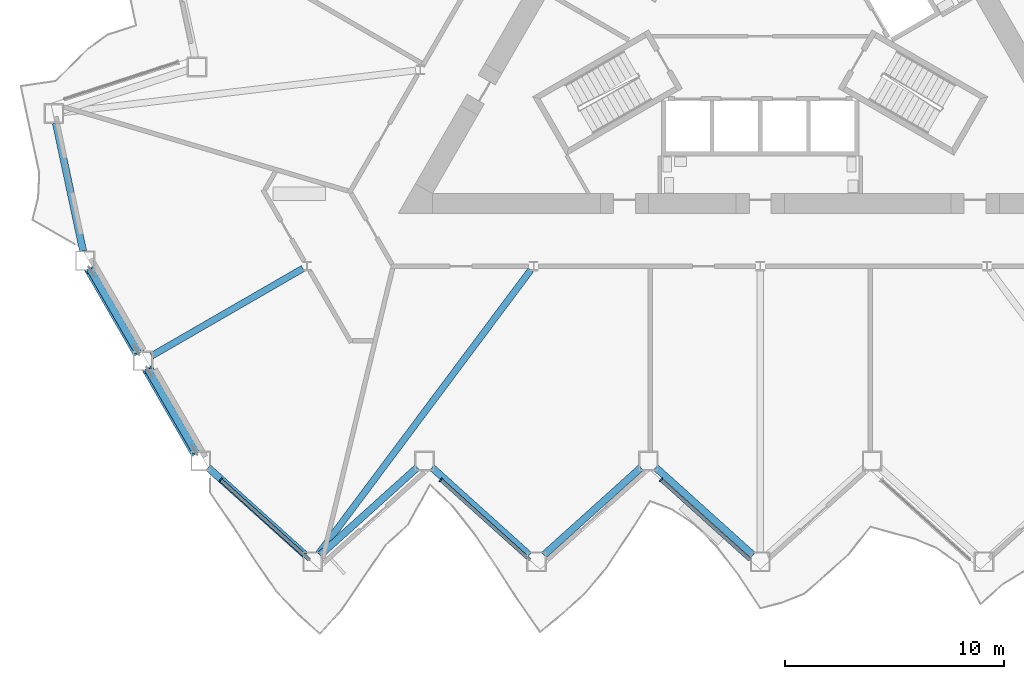
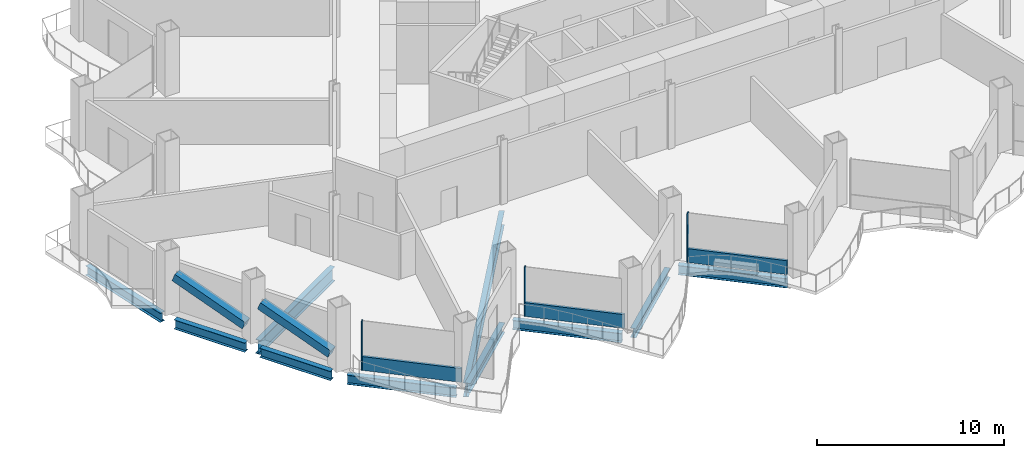
# One storey, part 3 of 21: 10 beams, 8 members, 3 elements without a shape of their own.
"""IFC4 building model written with IfcOpenShell, lengths in metres."""

from ifc_helpers import new_model, si_unit, direction, frame, origin, origin_2d, place, context, subcontext, project, spatial, rectangle, hollow_rectangle, i_section, extrude, material, layer, layer_set, material_profile, profile_set, type_object, element, aggregate, save


model = new_model("IFC4")

# Units and contexts
model_context = context("Model", 3, precision=1e-05, world=origin(), true_north=direction((0.0, 1.0)))
body_context = subcontext(model_context, "Body", "Model", "MODEL_VIEW")
ifc_project = project(units=[si_unit("LENGTHUNIT", "METRE"), si_unit("AREAUNIT", "SQUARE_METRE"), si_unit("VOLUMEUNIT", "CUBIC_METRE"), si_unit("PLANEANGLEUNIT", "RADIAN"), si_unit("MASSUNIT", "GRAM", prefix="KILO")], contexts=[model_context])

# Site, building, storey
site_placement = place(None, origin())
site = spatial("IfcSite", under=ifc_project, at=site_placement, CompositionType="ELEMENT")
building_placement = place(site_placement, origin())
building = spatial("IfcBuilding", under=site, at=building_placement, Name="Cormorant Prow Tower", CompositionType="ELEMENT")
storey_placement = place(building_placement, frame((0.0, 0.0, 120.60009765625)))
storey = spatial("IfcBuildingStorey", under=building, at=storey_placement, Name="L25", CompositionType="ELEMENT", Elevation=120.60009765625)

# Members
ifc_material_1 = material(Name="Structural steel ASTM A500 Gr C", Category="steel")
ifc_material_profile_1 = material_profile(ifc_material_1, hollow_rectangle(XDim=0.508056640625, YDim=0.508056640625, WallThickness=0.014892578125, at=origin_2d()), Name="HSS20x20x5/8")
ifc_profile_set_1 = profile_set([ifc_material_profile_1], Name="Structural steel ASTM A500 Gr C")
member_type_1 = type_object("IfcMemberType", Name="Chamfer brace HSS20x20x5/8", PredefinedType="BRACE", material=ifc_profile_set_1)
for number, where, z_axis, x_axis, name in (
    (1, (-28.368408203125, -15.83837890625, 0.7763671875), (-0.467775966243, 0.810228448064, 0.353150828052), (-0.866029868417, -0.499992266949, 0.0), "Chamfer brace BR1 at WSW00 L25"),
    (2, (-25.733642578125, -20.402099609375, 0.7763671875), (-0.467775966243, 0.810228448064, 0.353150828052), (-0.866029868417, -0.499992266949, 0.0), "Chamfer brace BR1 at WSW01 L25"),
):
    element("IfcMember", number, at=place(storey_placement, frame(where, z_axis=z_axis, x_axis=x_axis)), inside=storey, type_object=member_type_1, Name=name, PredefinedType="BRACE", context=body_context, shape_type="SweptSolid", body=[
        extrude(hollow_rectangle(XDim=0.508056640625, YDim=0.508056640625, WallThickness=0.014892578125, at=origin_2d()), origin(), (0.0, 0.0, 1.0), 4.632568359375),
    ])

# Curtain wall, member
ifc_material_2 = material(Name="Aluminium 6063-T6", Category="aluminium")
ifc_layer = layer(ifc_material_2, 0.199951171875)
ifc_layer_set = layer_set([ifc_layer], Name="Aluminium 6063-T6")
curtain_wall_type = type_object("IfcCurtainWallType", Name="Office unitised curtain wall 200", PredefinedType="NOTDEFINED", material=ifc_layer_set)
curtain_wall_1_placement = place(storey_placement, origin())
curtain_wall_1 = element("IfcCurtainWall", 3, at=curtain_wall_1_placement, inside=storey, type_object=curtain_wall_type, Name="Office curtain wall S00", PredefinedType="NOTDEFINED")
ifc_material_3 = material(Name="Aluminium 6063-T6", Category="aluminium")
ifc_material_profile_2 = material_profile(ifc_material_3, rectangle(XDim=0.199951171875, YDim=0.06005859375, at=origin_2d()), Name="Office mullion 60x200")
ifc_profile_set_2 = profile_set([ifc_material_profile_2], Name="Aluminium 6063-T6")
member_type_2 = type_object("IfcMemberType", Name="Office mullion 60x200", PredefinedType="MULLION", material=ifc_profile_set_2)
member_1_placement = place(storey_placement, frame((-24.59521484375, -21.671142578125, 0.0), z_axis=(0.0, 0.0, 1.0), x_axis=(0.669130597526, 0.74314483343, 0.0)))
member_1 = element("IfcMember", 4, at=member_1_placement, type_object=member_type_2, Name="Office mullion S00", PredefinedType="MULLION", context=body_context, shape_type="SweptSolid", body=[
    extrude(rectangle(XDim=0.199951171875, YDim=0.06005859375, at=origin_2d()), origin(), (0.0, 0.0, 1.0), 3.188720703125),
])

curtain_wall_2_placement = place(storey_placement, origin())
curtain_wall_2 = element("IfcCurtainWall", 5, at=curtain_wall_2_placement, inside=storey, type_object=curtain_wall_type, Name="Office curtain wall S02", PredefinedType="NOTDEFINED")
member_2_placement = place(storey_placement, frame((-14.55908203125, -21.671142578125, 0.0), z_axis=(0.0, 0.0, 1.0), x_axis=(0.669130597526, 0.74314483343, 0.0)))
member_2 = element("IfcMember", 6, at=member_2_placement, type_object=member_type_2, Name="Office mullion S02", PredefinedType="MULLION", context=body_context, shape_type="SweptSolid", body=[
    extrude(rectangle(XDim=0.199951171875, YDim=0.06005859375, at=origin_2d()), origin(), (0.0, 0.0, 1.0), 3.188720703125),
])

curtain_wall_3_placement = place(storey_placement, origin())
curtain_wall_3 = element("IfcCurtainWall", 7, at=curtain_wall_3_placement, inside=storey, type_object=curtain_wall_type, Name="Office curtain wall S04", PredefinedType="NOTDEFINED")
member_3_placement = place(storey_placement, frame((-4.523193359375, -21.671142578125, 0.0), z_axis=(0.0, 0.0, 1.0), x_axis=(0.669130597526, 0.74314483343, 0.0)))
member_3 = element("IfcMember", 8, at=member_3_placement, type_object=member_type_2, Name="Office mullion S04", PredefinedType="MULLION", context=body_context, shape_type="SweptSolid", body=[
    extrude(rectangle(XDim=0.199951171875, YDim=0.06005859375, at=origin_2d()), origin(), (0.0, 0.0, 1.0), 3.188720703125),
])

# Member
ifc_material_4 = material(Name="Terracotta", Category="masonry")
ifc_material_profile_3 = material_profile(ifc_material_4, rectangle(XDim=0.159912109375, YDim=0.89990234375, at=origin_2d()), Name="Office terracotta spandrel rail 160x900")
ifc_profile_set_3 = profile_set([ifc_material_profile_3], Name="Terracotta")
member_type_3 = type_object("IfcMemberType", Name="Office terracotta spandrel rail 160x900", PredefinedType="USERDEFINED", material=ifc_profile_set_3)
member_4_placement = place(storey_placement, frame((-24.572998046875, -21.691162109375, 0.449951171875), z_axis=(0.743159757815, -0.669114021946, 0.0), x_axis=(0.669114021946, 0.743159757815, 0.0)))
member_4 = element("IfcMember", 9, at=member_4_placement, type_object=member_type_3, Name="Office spandrel rail S00", ObjectType="TRANSOM", PredefinedType="USERDEFINED", context=body_context, shape_type="SweptSolid", body=[
    extrude(rectangle(XDim=0.159912109375, YDim=0.89990234375, at=origin_2d()), origin(), (0.0, 0.0, 1.0), 5.42041015625),
])

aggregate(curtain_wall_1, [member_1, member_4])

member_5_placement = place(storey_placement, frame((-14.536865234375, -21.691162109375, 0.449951171875), z_axis=(0.74313959179, -0.669136418912, 0.0), x_axis=(0.669136418912, 0.74313959179, 0.0)))
member_5 = element("IfcMember", 10, at=member_5_placement, type_object=member_type_3, Name="Office spandrel rail S02", ObjectType="TRANSOM", PredefinedType="USERDEFINED", context=body_context, shape_type="SweptSolid", body=[
    extrude(rectangle(XDim=0.159912109375, YDim=0.89990234375, at=origin_2d()), origin(), (0.0, 0.0, 1.0), 5.42041015625),
])

aggregate(curtain_wall_2, [member_2, member_5])

member_6_placement = place(storey_placement, frame((-4.500732421875, -21.691162109375, 0.449951171875), z_axis=(0.74313959179, -0.669136418912, 0.0), x_axis=(0.669136418912, 0.74313959179, 0.0)))
member_6 = element("IfcMember", 11, at=member_6_placement, type_object=member_type_3, Name="Office spandrel rail S04", ObjectType="TRANSOM", PredefinedType="USERDEFINED", context=body_context, shape_type="SweptSolid", body=[
    extrude(rectangle(XDim=0.159912109375, YDim=0.89990234375, at=origin_2d()), origin(), (0.0, 0.0, 1.0), 5.42041015625),
])

aggregate(curtain_wall_3, [member_3, member_6])

# Beams
ifc_material_5 = material(Name="Structural steel ASTM A992 Gr 50", Category="steel")
ifc_material_profile_4 = material_profile(ifc_material_5, i_section(OverallWidth=0.3046875, OverallDepth=0.914794921875, WebThickness=0.0166015625, FlangeThickness=0.02587890625, at=origin_2d()), Name="W36x160")
ifc_profile_set_4 = profile_set([ifc_material_profile_4], Name="Structural steel ASTM A992 Gr 50")
beam_type_1 = type_object("IfcBeamType", Name="Radial floor beam W36x160", PredefinedType="BEAM", material=ifc_profile_set_4)
beam_1_placement = place(storey_placement, frame((-20.84521484375, -12.034912109375, -0.857421875), z_axis=(-0.866018715534, -0.50001158421, 0.0), x_axis=(0.50001158421, -0.866018715534, 0.0)))
element("IfcBeam", 12, at=beam_1_placement, inside=storey, type_object=beam_type_1, Name="Radial floor beam FB1 5 L25", PredefinedType="BEAM", context=body_context, shape_type="SweptSolid", body=[
    extrude(i_section(OverallWidth=0.3046875, OverallDepth=0.914794921875, WebThickness=0.0166015625, FlangeThickness=0.02587890625, at=origin_2d()), origin(), (0.0, 0.0, 1.0), 7.967041015625),
])
beam_2_placement = place(storey_placement, frame((-10.458740234375, -12.100341796875, -0.857421875), z_axis=(-0.598722444929, -0.800956574315, 0.0), x_axis=(0.800956574315, -0.598722444929, 0.0)))
element("IfcBeam", 13, at=beam_2_placement, inside=storey, type_object=beam_type_1, Name="Radial floor beam FB1 6 L25", PredefinedType="BEAM", context=body_context, shape_type="SweptSolid", body=[
    extrude(i_section(OverallWidth=0.3046875, OverallDepth=0.914794921875, WebThickness=0.0166015625, FlangeThickness=0.02587890625, at=origin_2d()), origin(), (0.0, 0.0, 1.0), 16.15380859375),
])
ifc_material_6 = material(Name="Structural steel ASTM A992 Gr 50", Category="steel")
ifc_material_profile_5 = material_profile(ifc_material_6, i_section(OverallWidth=0.32373046875, OverallDepth=0.611083984375, WebThickness=0.0126953125, FlangeThickness=0.01904296875, at=origin_2d()), Name="W24x104")
ifc_profile_set_5 = profile_set([ifc_material_profile_5], Name="Structural steel ASTM A992 Gr 50")
beam_type_2 = type_object("IfcBeamType", Name="Spandrel beam W24x104", PredefinedType="SPANDREL", material=ifc_profile_set_5)
for number, where, z_axis, x_axis, name in (
    (14, (-25.165283203125, -21.108154296875, -0.70556640625), (0.743131253571, -0.66914567918, 0.0), (0.66914567918, 0.743131253571, 0.0), "Spandrel beam SB1 S00-S01 L25"),
    (15, (-20.0654296875, -25.09814453125, -0.70556640625), (0.743131253571, 0.66914567918, 0.0), (-0.66914567918, 0.743131253571, 0.0), "Spandrel beam SB1 S01-S02 L25"),
    (16, (-14.96533203125, -21.108154296875, -0.70556640625), (0.743131253571, -0.66914567918, 0.0), (0.66914567918, 0.743131253571, 0.0), "Spandrel beam SB1 S02-S03 L25"),
    (17, (-9.865478515625, -25.09814453125, -0.70556640625), (0.743131253571, 0.66914567918, 0.0), (-0.66914567918, 0.743131253571, 0.0), "Spandrel beam SB1 S03-S04 L25"),
    (18, (-4.765625, -21.108154296875, -0.70556640625), (0.743131253571, -0.66914567918, 0.0), (0.66914567918, 0.743131253571, 0.0), "Spandrel beam SB1 S04-S05 L25"),
    (19, (-32.1025390625, -5.4072265625, -0.70556640625), (0.207912620873, -0.978147403044, 0.0), (0.978147403044, 0.207912620873, 0.0), "Spandrel beam SB1 WNW09-WSW00 L25"),
):
    element("IfcBeam", number, at=place(storey_placement, frame(where, z_axis=z_axis, x_axis=x_axis)), inside=storey, type_object=beam_type_2, Name=name, PredefinedType="SPANDREL", context=body_context, shape_type="SweptSolid", body=[
        extrude(i_section(OverallWidth=0.32373046875, OverallDepth=0.611083984375, WebThickness=0.0126953125, FlangeThickness=0.01904296875, at=origin_2d()), origin(), (0.0, 0.0, 1.0), 5.962890625),
    ])
for number, where, z_axis, x_axis, name in (
    (20, (-30.54443359375, -12.069580078125, -0.70556640625), (0.500002967982, -0.866023690213, 0.0), (0.866023690213, 0.500002967982, 0.0), "Spandrel beam SB1 WSW00-WSW01 L25"),
    (21, (-27.909423828125, -16.63330078125, -0.70556640625), (0.500002967982, -0.866023690213, 0.0), (0.866023690213, 0.500002967982, 0.0), "Spandrel beam SB1 WSW01-S00 L25"),
):
    element("IfcBeam", number, at=place(storey_placement, frame(where, z_axis=z_axis, x_axis=x_axis)), inside=storey, type_object=beam_type_2, Name=name, PredefinedType="SPANDREL", context=body_context, shape_type="SweptSolid", body=[
        extrude(i_section(OverallWidth=0.32373046875, OverallDepth=0.611083984375, WebThickness=0.0126953125, FlangeThickness=0.01904296875, at=origin_2d()), origin(), (0.0, 0.0, 1.0), 4.36962890625),
    ])

save(model, "model.ifc")
